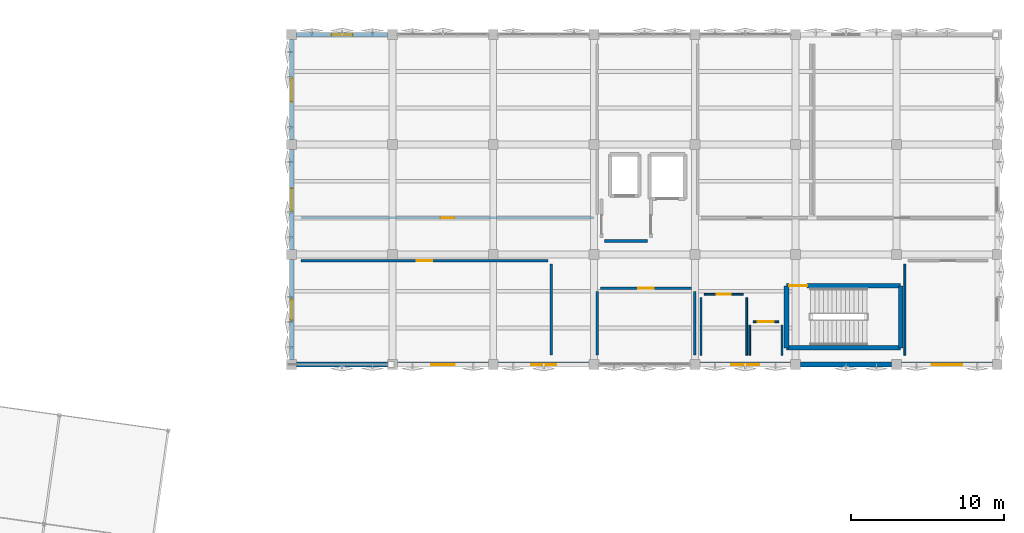
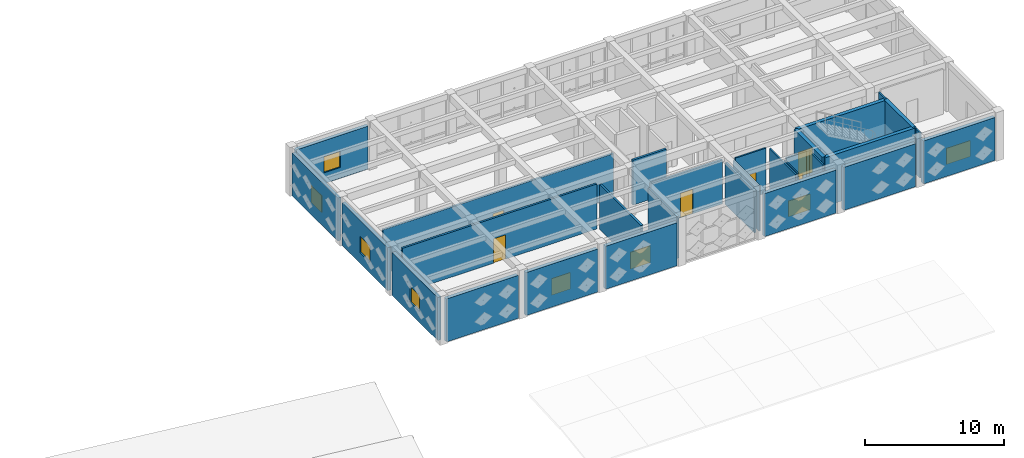
# One storey, part 40 of 48: 28 walls, 8 windows, 6 doors, 14 openings.
"""IFC4 building model written with IfcOpenShell, lengths in metres."""

from ifc_helpers import new_model, si_unit, direction, frame, frame_2d, origin, place, context, subcontext, project, spatial, rectangle, extrude, material, layer, layer_set, type_object, element, fill, save


model = new_model("IFC4")

# Units and contexts
model_context = context("Model", 3, precision=1e-05, world=origin(), true_north=direction((0.0, 1.0)))
body_context = subcontext(model_context, "Body", "Model", "MODEL_VIEW")
ifc_project = project(units=[si_unit("LENGTHUNIT", "METRE"), si_unit("AREAUNIT", "SQUARE_METRE"), si_unit("VOLUMEUNIT", "CUBIC_METRE"), si_unit("PLANEANGLEUNIT", "RADIAN"), si_unit("MASSUNIT", "GRAM", prefix="KILO")], contexts=[model_context])

# Site, building, storey
site_placement = place(None, origin())
site = spatial("IfcSite", under=ifc_project, at=site_placement, CompositionType="ELEMENT")
building_placement = place(site_placement, origin())
building = spatial("IfcBuilding", under=site, at=building_placement, Name="Kharisveld Research Institute", CompositionType="ELEMENT")
storey_placement = place(building_placement, frame((0.0, 0.0, 14.10009765625)))
storey = spatial("IfcBuildingStorey", under=building, at=storey_placement, Name="L03", CompositionType="ELEMENT", Elevation=14.10009765625)

# Wall
ifc_material_1 = material(Name="Concrete C40/50", Category="concrete")
ifc_layer_1 = layer(ifc_material_1, 0.300048828125)
ifc_layer_set_1 = layer_set([ifc_layer_1], Name="WL_CORE_300")
wall_type_1 = type_object("IfcWallType", Name="WL_CORE_300", PredefinedType="SHEAR", material=ifc_layer_set_1)
wall_1_placement = place(storey_placement, frame((147.0, 40.300048828125, 0.0), z_axis=(0.0, 0.0, 1.0), x_axis=(0.0, 1.0, 0.0)))
element("IfcWall", 1, at=wall_1_placement, inside=storey, type_object=wall_type_1, Name="WL:STR:ST3:L03:W", PredefinedType="SHEAR", context=body_context, shape_type="SweptSolid", body=[
    extrude(rectangle(XDim=4.06005859375, YDim=0.300048828125, at=frame_2d((2.030029296875, 0.0))), origin(), (0.0, 0.0, 1.0), 4.27978515625),
])

# Wall, opening, door
wall_2_placement = place(storey_placement, frame((147.0, 44.360107421875, 0.0), z_axis=(0.0, 0.0, 1.0), x_axis=(1.0, 0.0, 0.0)))
wall_2 = element("IfcWall", 2, at=wall_2_placement, inside=storey, type_object=wall_type_1, Name="WL:STR:ST3:L03:N", PredefinedType="SHEAR", context=body_context, shape_type="SweptSolid", body=[
    extrude(rectangle(XDim=7.469970703125, YDim=0.300048828125, at=frame_2d((3.73486328125, 0.0))), origin(), (0.0, 0.0, 1.0), 4.27978515625),
])
opening_1_placement = place(wall_2_placement, frame((0.179931640625, 0.0, 0.0)))
opening_1 = element("IfcOpeningElement", 3, at=opening_1_placement, cuts=wall_2, Name="Opening DS-031", PredefinedType="OPENING", context=body_context, shape_type="SweptSolid", body=[
    extrude(rectangle(XDim=1.179931640625, YDim=2.14990234375, at=frame_2d((0.58984375, 1.074951171875))), frame((0.0, 0.14990234375, 0.0), z_axis=(0.0, -1.0, 0.0), x_axis=(1.0, 0.0, 0.0)), (0.0, 0.0, 1.0), 0.300048828125),
])
ifc_material_2 = material(Name="Flush Painted Hardwood and Anodised Aluminium", Category="wood")
door_type_1 = type_object("IfcDoorType", Name="DR_FD60_118", OperationType="NOTDEFINED", PredefinedType="DOOR", material=ifc_material_2)
door_1_placement = place(opening_1_placement, origin())
door_1 = element("IfcDoor", 4, at=door_1_placement, inside=storey, type_object=door_type_1, Name="DR:STR:ST3:L03", OperationType="SINGLE_SWING_RIGHT", OverallHeight=2.14990234375, OverallWidth=1.179931640625, PredefinedType="DOOR", context=body_context, shape_type="SweptSolid", body=[
    extrude(rectangle(XDim=1.179931640625, YDim=2.14990234375, at=frame_2d((0.58984375, 1.074951171875))), frame((0.0, 0.02490234375, 0.0), z_axis=(0.0, -1.0, 0.0), x_axis=(1.0, 0.0, 0.0)), (0.0, 0.0, 1.0), 0.050048828125),
])
fill(opening_1, door_1)

# Walls
wall_3_placement = place(storey_placement, frame((154.469970703125, 44.360107421875, 0.0), z_axis=(0.0, 0.0, 1.0), x_axis=(0.0, -1.0, 0.0)))
element("IfcWall", 5, at=wall_3_placement, inside=storey, type_object=wall_type_1, Name="WL:STR:ST3:L03:E", PredefinedType="SHEAR", context=body_context, shape_type="SweptSolid", body=[
    extrude(rectangle(XDim=4.06005859375, YDim=0.300048828125, at=frame_2d((2.030029296875, 0.0))), origin(), (0.0, 0.0, 1.0), 4.27978515625),
])
wall_4_placement = place(storey_placement, frame((154.469970703125, 40.300048828125, 0.0), z_axis=(0.0, 0.0, 1.0), x_axis=(-1.0, 0.0, 0.0)))
element("IfcWall", 6, at=wall_4_placement, inside=storey, type_object=wall_type_1, Name="WL:STR:ST3:L03:S", PredefinedType="SHEAR", context=body_context, shape_type="SweptSolid", body=[
    extrude(rectangle(XDim=7.469970703125, YDim=0.300048828125, at=frame_2d((3.73486328125, 0.0))), origin(), (0.0, 0.0, 1.0), 4.27978515625),
])

# Wall, opening, window
ifc_material_3 = material(Name="Precast Concrete C40/50 Thermal Wall", Category="concrete")
ifc_layer_2 = layer(ifc_material_3, 0.260009765625)
ifc_layer_set_2 = layer_set([ifc_layer_2], Name="WL_EXT_260")
wall_type_2 = type_object("IfcWallType", Name="WL_EXT_260", PredefinedType="STANDARD", material=ifc_layer_set_2)
wall_5_placement = place(storey_placement, frame((114.60009765625, 53.919921875, 0.0), z_axis=(0.0, 0.0, 1.0), x_axis=(0.0, 1.0, 0.0)))
wall_5 = element("IfcWall", 7, at=wall_5_placement, inside=storey, type_object=wall_type_2, Name="WL:V2:L03:W2", PredefinedType="STANDARD", context=body_context, shape_type="SweptSolid", body=[
    extrude(rectangle(XDim=6.56005859375, YDim=0.260009765625, at=frame_2d((3.280029296875, 0.0))), origin(), (0.0, 0.0, 1.0), 3.77490234375),
])
opening_2_placement = place(wall_5_placement, frame((2.5048828125, 0.0, 0.949951171875)))
opening_2 = element("IfcOpeningElement", 8, at=opening_2_placement, cuts=wall_5, Name="Opening WN-25", PredefinedType="OPENING", context=body_context, shape_type="SweptSolid", body=[
    extrude(rectangle(XDim=1.550048828125, YDim=1.4599609375, at=frame_2d((0.77490234375, 0.72998046875))), frame((0.0, 0.1298828125, 0.0), z_axis=(0.0, -1.0, 0.0), x_axis=(1.0, 0.0, 0.0)), (0.0, 0.0, 1.0), 0.260009765625),
])
ifc_material_4 = material(Name="Low-E Double Glazing", Category="glass")
window_type_1 = type_object("IfcWindowType", Name="WN_25", PartitioningType="DOUBLE_PANEL_VERTICAL", PredefinedType="WINDOW", material=ifc_material_4)
window_1_placement = place(opening_2_placement, origin())
window_1 = element("IfcWindow", 9, at=window_1_placement, inside=storey, type_object=window_type_1, Name="WN:V2:L03:W2", OverallHeight=1.4599609375, OverallWidth=1.550048828125, PartitioningType="SINGLE_PANEL", PredefinedType="WINDOW", context=body_context, shape_type="SweptSolid", body=[
    extrude(rectangle(XDim=1.550048828125, YDim=1.4599609375, at=frame_2d((0.77490234375, 0.72998046875))), frame((0.0, 0.030029296875, 0.0), z_axis=(0.0, -1.0, 0.0), x_axis=(1.0, 0.0, 0.0)), (0.0, 0.0, 1.0), 0.06005859375),
])
fill(opening_2, window_1)

ifc_material_5 = material(Name="Precast Concrete C40/50 Thermal Wall", Category="concrete")
ifc_layer_3 = layer(ifc_material_5, 0.27490234375)
ifc_layer_set_3 = layer_set([ifc_layer_3], Name="WL_EXT_275")
wall_type_3 = type_object("IfcWallType", Name="WL_EXT_275", PredefinedType="STANDARD", material=ifc_layer_set_3)
wall_6_placement = place(storey_placement, frame((114.60009765625, 46.719970703125, 0.0), z_axis=(0.0, 0.0, 1.0), x_axis=(0.0, 1.0, 0.0)))
wall_6 = element("IfcWall", 10, at=wall_6_placement, inside=storey, type_object=wall_type_3, Name="WL:V2:L03:W1", PredefinedType="STANDARD", context=body_context, shape_type="SweptSolid", body=[
    extrude(rectangle(XDim=6.56005859375, YDim=0.27490234375, at=frame_2d((3.280029296875, 0.0))), origin(), (0.0, 0.0, 1.0), 3.77490234375),
])
opening_3_placement = place(wall_6_placement, frame((2.550048828125, 0.0, 0.949951171875)))
opening_3 = element("IfcOpeningElement", 11, at=opening_3_placement, cuts=wall_6, Name="Opening WN-24", PredefinedType="OPENING", context=body_context, shape_type="SweptSolid", body=[
    extrude(rectangle(XDim=1.4599609375, YDim=1.43994140625, at=frame_2d((0.72998046875, 0.719970703125))), frame((0.0, 0.137451171875, 0.0), z_axis=(0.0, -1.0, 0.0), x_axis=(1.0, 0.0, 0.0)), (0.0, 0.0, 1.0), 0.27490234375),
])
ifc_material_6 = material(Name="Low-E Double Glazing", Category="glass")
window_type_2 = type_object("IfcWindowType", Name="WN_24", PartitioningType="DOUBLE_PANEL_VERTICAL", PredefinedType="WINDOW", material=ifc_material_6)
window_2_placement = place(opening_3_placement, origin())
window_2 = element("IfcWindow", 12, at=window_2_placement, inside=storey, type_object=window_type_2, Name="WN:V2:L03:W1", OverallHeight=1.43994140625, OverallWidth=1.4599609375, PartitioningType="SINGLE_PANEL", PredefinedType="WINDOW", context=body_context, shape_type="SweptSolid", body=[
    extrude(rectangle(XDim=1.4599609375, YDim=1.43994140625, at=frame_2d((0.72998046875, 0.719970703125))), frame((0.0, 0.030029296875, 0.0), z_axis=(0.0, -1.0, 0.0), x_axis=(1.0, 0.0, 0.0)), (0.0, 0.0, 1.0), 0.06005859375),
])
fill(opening_3, window_2)

ifc_material_7 = material(Name="Precast Concrete C40/50 Thermal Wall", Category="concrete")
ifc_layer_4 = layer(ifc_material_7, 0.2900390625)
ifc_layer_set_4 = layer_set([ifc_layer_4], Name="WL_EXT_290")
wall_type_4 = type_object("IfcWallType", Name="WL_EXT_290", PredefinedType="STANDARD", material=ifc_layer_set_4)
wall_7_placement = place(storey_placement, frame((114.60009765625, 39.52001953125, 0.0), z_axis=(0.0, 0.0, 1.0), x_axis=(0.0, 1.0, 0.0)))
wall_7 = element("IfcWall", 13, at=wall_7_placement, inside=storey, type_object=wall_type_4, Name="WL:V2:L03:W0", PredefinedType="STANDARD", context=body_context, shape_type="SweptSolid", body=[
    extrude(rectangle(XDim=6.56005859375, YDim=0.2900390625, at=frame_2d((3.280029296875, 0.0))), origin(), (0.0, 0.0, 1.0), 3.77490234375),
])
opening_4_placement = place(wall_7_placement, frame((2.594970703125, 0.0, 0.949951171875)))
opening_4 = element("IfcOpeningElement", 14, at=opening_4_placement, cuts=wall_7, Name="Opening WN-23", PredefinedType="OPENING", context=body_context, shape_type="SweptSolid", body=[
    extrude(rectangle(XDim=1.3701171875, YDim=1.419921875, at=frame_2d((0.68505859375, 0.7099609375))), frame((0.0, 0.14501953125, 0.0), z_axis=(0.0, -1.0, 0.0), x_axis=(1.0, 0.0, 0.0)), (0.0, 0.0, 1.0), 0.2900390625),
])
ifc_material_8 = material(Name="Low-E Double Glazing", Category="glass")
window_type_3 = type_object("IfcWindowType", Name="WN_23", PartitioningType="DOUBLE_PANEL_VERTICAL", PredefinedType="WINDOW", material=ifc_material_8)
window_3_placement = place(opening_4_placement, origin())
window_3 = element("IfcWindow", 15, at=window_3_placement, inside=storey, type_object=window_type_3, Name="WN:V2:L03:W0", OverallHeight=1.419921875, OverallWidth=1.3701171875, PartitioningType="SINGLE_PANEL", PredefinedType="WINDOW", context=body_context, shape_type="SweptSolid", body=[
    extrude(rectangle(XDim=1.3701171875, YDim=1.419921875, at=frame_2d((0.68505859375, 0.7099609375))), frame((0.0, 0.030029296875, 0.0), z_axis=(0.0, -1.0, 0.0), x_axis=(1.0, 0.0, 0.0)), (0.0, 0.0, 1.0), 0.06005859375),
])
fill(opening_4, window_3)

wall_8_placement = place(storey_placement, frame((114.919921875, 60.800048828125, 0.0), z_axis=(0.0, 0.0, 1.0), x_axis=(1.0, 0.0, 0.0)))
wall_8 = element("IfcWall", 16, at=wall_8_placement, inside=storey, type_object=wall_type_4, Name="WL:V2:L03:N0", PredefinedType="STANDARD", context=body_context, shape_type="SweptSolid", body=[
    extrude(rectangle(XDim=5.9599609375, YDim=0.2900390625, at=frame_2d((2.97998046875, 0.0))), origin(), (0.0, 0.0, 1.0), 3.77490234375),
])
opening_5_placement = place(wall_8_placement, frame((2.294921875, 0.0, 0.949951171875)))
opening_5 = element("IfcOpeningElement", 17, at=opening_5_placement, cuts=wall_8, Name="Opening WN-23", PredefinedType="OPENING", context=body_context, shape_type="SweptSolid", body=[
    extrude(rectangle(XDim=1.3701171875, YDim=1.419921875, at=frame_2d((0.68505859375, 0.7099609375))), frame((0.0, 0.14501953125, 0.0), z_axis=(0.0, -1.0, 0.0), x_axis=(1.0, 0.0, 0.0)), (0.0, 0.0, 1.0), 0.2900390625),
])
window_4_placement = place(opening_5_placement, origin())
window_4 = element("IfcWindow", 18, at=window_4_placement, inside=storey, type_object=window_type_3, Name="WN:V2:L03:N0", OverallHeight=1.419921875, OverallWidth=1.3701171875, PartitioningType="SINGLE_PANEL", PredefinedType="WINDOW", context=body_context, shape_type="SweptSolid", body=[
    extrude(rectangle(XDim=1.3701171875, YDim=1.419921875, at=frame_2d((0.68505859375, 0.7099609375))), frame((0.0, 0.030029296875, 0.0), z_axis=(0.0, -1.0, 0.0), x_axis=(1.0, 0.0, 0.0)), (0.0, 0.0, 1.0), 0.06005859375),
])
fill(opening_5, window_4)

ifc_material_9 = material(Name="Precast Concrete C40/50 Ochre Panel", Category="concrete")
ifc_layer_5 = layer(ifc_material_9, 0.304931640625)
ifc_layer_set_5 = layer_set([ifc_layer_5], Name="WL_EXT_305")
wall_type_5 = type_object("IfcWallType", Name="WL_EXT_305", PredefinedType="STANDARD", material=ifc_layer_set_5)
wall_9_placement = place(storey_placement, frame((160.47998046875, 39.199951171875, 0.0), z_axis=(0.0, 0.0, 1.0), x_axis=(-1.0, 0.0, 0.0)))
wall_9 = element("IfcWall", 19, at=wall_9_placement, inside=storey, type_object=wall_type_5, Name="WL:V2:L03:S7", PredefinedType="STANDARD", context=body_context, shape_type="SweptSolid", body=[
    extrude(rectangle(XDim=5.9599609375, YDim=0.304931640625, at=frame_2d((2.97998046875, 0.0))), origin(), (0.0, 0.0, 1.0), 3.77490234375),
])
opening_6_placement = place(wall_9_placement, frame((1.97998046875, 0.0, 0.949951171875)))
opening_6 = element("IfcOpeningElement", 20, at=opening_6_placement, cuts=wall_9, Name="Opening WN-30", PredefinedType="OPENING", context=body_context, shape_type="SweptSolid", body=[
    extrude(rectangle(XDim=2.0, YDim=1.419921875, at=frame_2d((1.0, 0.7099609375))), frame((0.0, 0.15234375, 0.0), z_axis=(0.0, -1.0, 0.0), x_axis=(1.0, 0.0, 0.0)), (0.0, 0.0, 1.0), 0.304931640625),
])
ifc_material_10 = material(Name="Low-E Double Glazing", Category="glass")
window_type_4 = type_object("IfcWindowType", Name="WN_30", PartitioningType="DOUBLE_PANEL_VERTICAL", PredefinedType="WINDOW", material=ifc_material_10)
window_5_placement = place(opening_6_placement, origin())
window_5 = element("IfcWindow", 21, at=window_5_placement, inside=storey, type_object=window_type_4, Name="WN:V2:L03:S7", OverallHeight=1.419921875, OverallWidth=2.0, PartitioningType="SINGLE_PANEL", PredefinedType="WINDOW", context=body_context, shape_type="SweptSolid", body=[
    extrude(rectangle(XDim=2.0, YDim=1.419921875, at=frame_2d((1.0, 0.7099609375))), frame((0.0, 0.030029296875, 0.0), z_axis=(0.0, -1.0, 0.0), x_axis=(1.0, 0.0, 0.0)), (0.0, 0.0, 1.0), 0.06005859375),
])
fill(opening_6, window_5)

# Wall
wall_10_placement = place(storey_placement, frame((153.8798828125, 39.199951171875, 0.0), z_axis=(0.0, 0.0, 1.0), x_axis=(-1.0, 0.0, 0.0)))
element("IfcWall", 22, at=wall_10_placement, inside=storey, type_object=wall_type_5, Name="WL:V2:L03:S6", PredefinedType="STANDARD", context=body_context, shape_type="SweptSolid", body=[
    extrude(rectangle(XDim=5.9599609375, YDim=0.304931640625, at=frame_2d((2.97998046875, 0.0))), origin(), (0.0, 0.0, 1.0), 3.77490234375),
])

# Wall, opening, window
wall_11_placement = place(storey_placement, frame((147.280029296875, 39.199951171875, 0.0), z_axis=(0.0, 0.0, 1.0), x_axis=(-1.0, 0.0, 0.0)))
wall_11 = element("IfcWall", 23, at=wall_11_placement, inside=storey, type_object=wall_type_5, Name="WL:V2:L03:S5", PredefinedType="STANDARD", context=body_context, shape_type="SweptSolid", body=[
    extrude(rectangle(XDim=5.9599609375, YDim=0.304931640625, at=frame_2d((2.97998046875, 0.0))), origin(), (0.0, 0.0, 1.0), 3.77490234375),
])
opening_7_placement = place(wall_11_placement, frame((2.070068359375, 0.0, 0.949951171875)))
opening_7 = element("IfcOpeningElement", 24, at=opening_7_placement, cuts=wall_11, Name="Opening WN-28", PredefinedType="OPENING", context=body_context, shape_type="SweptSolid", body=[
    extrude(rectangle(XDim=1.820068359375, YDim=1.3798828125, at=frame_2d((0.91015625, 0.68994140625))), frame((0.0, 0.15234375, 0.0), z_axis=(0.0, -1.0, 0.0), x_axis=(1.0, 0.0, 0.0)), (0.0, 0.0, 1.0), 0.304931640625),
])
ifc_material_11 = material(Name="Low-E Double Glazing", Category="glass")
window_type_5 = type_object("IfcWindowType", Name="WN_28", PartitioningType="DOUBLE_PANEL_VERTICAL", PredefinedType="WINDOW", material=ifc_material_11)
window_6_placement = place(opening_7_placement, origin())
window_6 = element("IfcWindow", 25, at=window_6_placement, inside=storey, type_object=window_type_5, Name="WN:V2:L03:S5", OverallHeight=1.3798828125, OverallWidth=1.820068359375, PartitioningType="SINGLE_PANEL", PredefinedType="WINDOW", context=body_context, shape_type="SweptSolid", body=[
    extrude(rectangle(XDim=1.820068359375, YDim=1.3798828125, at=frame_2d((0.91015625, 0.68994140625))), frame((0.0, 0.030029296875, 0.0), z_axis=(0.0, -1.0, 0.0), x_axis=(1.0, 0.0, 0.0)), (0.0, 0.0, 1.0), 0.06005859375),
])
fill(opening_7, window_6)

wall_12_placement = place(storey_placement, frame((134.080078125, 39.199951171875, 0.0), z_axis=(0.0, 0.0, 1.0), x_axis=(-1.0, 0.0, 0.0)))
wall_12 = element("IfcWall", 26, at=wall_12_placement, inside=storey, type_object=wall_type_5, Name="WL:V2:L03:S3", PredefinedType="STANDARD", context=body_context, shape_type="SweptSolid", body=[
    extrude(rectangle(XDim=5.9599609375, YDim=0.304931640625, at=frame_2d((2.97998046875, 0.0))), origin(), (0.0, 0.0, 1.0), 3.77490234375),
])
opening_8_placement = place(wall_12_placement, frame((2.159912109375, 0.0, 0.949951171875)))
opening_8 = element("IfcOpeningElement", 27, at=opening_8_placement, cuts=wall_12, Name="Opening WN-26", PredefinedType="OPENING", context=body_context, shape_type="SweptSolid", body=[
    extrude(rectangle(XDim=1.639892578125, YDim=1.47998046875, at=frame_2d((0.81982421875, 0.739990234375))), frame((0.0, 0.15234375, 0.0), z_axis=(0.0, -1.0, 0.0), x_axis=(1.0, 0.0, 0.0)), (0.0, 0.0, 1.0), 0.304931640625),
])
ifc_material_12 = material(Name="Low-E Double Glazing", Category="glass")
window_type_6 = type_object("IfcWindowType", Name="WN_26", PartitioningType="DOUBLE_PANEL_VERTICAL", PredefinedType="WINDOW", material=ifc_material_12)
window_7_placement = place(opening_8_placement, origin())
window_7 = element("IfcWindow", 28, at=window_7_placement, inside=storey, type_object=window_type_6, Name="WN:V2:L03:S3", OverallHeight=1.47998046875, OverallWidth=1.639892578125, PartitioningType="SINGLE_PANEL", PredefinedType="WINDOW", context=body_context, shape_type="SweptSolid", body=[
    extrude(rectangle(XDim=1.639892578125, YDim=1.47998046875, at=frame_2d((0.81982421875, 0.739990234375))), frame((0.0, 0.030029296875, 0.0), z_axis=(0.0, -1.0, 0.0), x_axis=(1.0, 0.0, 0.0)), (0.0, 0.0, 1.0), 0.06005859375),
])
fill(opening_8, window_7)

wall_13_placement = place(storey_placement, frame((127.47998046875, 39.199951171875, 0.0), z_axis=(0.0, 0.0, 1.0), x_axis=(-1.0, 0.0, 0.0)))
wall_13 = element("IfcWall", 29, at=wall_13_placement, inside=storey, type_object=wall_type_5, Name="WL:V2:L03:S2", PredefinedType="STANDARD", context=body_context, shape_type="SweptSolid", body=[
    extrude(rectangle(XDim=5.9599609375, YDim=0.304931640625, at=frame_2d((2.97998046875, 0.0))), origin(), (0.0, 0.0, 1.0), 3.77490234375),
])
opening_9_placement = place(wall_13_placement, frame((2.205078125, 0.0, 0.949951171875)))
opening_9 = element("IfcOpeningElement", 30, at=opening_9_placement, cuts=wall_13, Name="Opening WN-25", PredefinedType="OPENING", context=body_context, shape_type="SweptSolid", body=[
    extrude(rectangle(XDim=1.550048828125, YDim=1.4599609375, at=frame_2d((0.77490234375, 0.72998046875))), frame((0.0, 0.15234375, 0.0), z_axis=(0.0, -1.0, 0.0), x_axis=(1.0, 0.0, 0.0)), (0.0, 0.0, 1.0), 0.304931640625),
])
window_8_placement = place(opening_9_placement, origin())
window_8 = element("IfcWindow", 31, at=window_8_placement, inside=storey, type_object=window_type_1, Name="WN:V2:L03:S2", OverallHeight=1.4599609375, OverallWidth=1.550048828125, PartitioningType="SINGLE_PANEL", PredefinedType="WINDOW", context=body_context, shape_type="SweptSolid", body=[
    extrude(rectangle(XDim=1.550048828125, YDim=1.4599609375, at=frame_2d((0.77490234375, 0.72998046875))), frame((0.0, 0.030029296875, 0.0), z_axis=(0.0, -1.0, 0.0), x_axis=(1.0, 0.0, 0.0)), (0.0, 0.0, 1.0), 0.06005859375),
])
fill(opening_9, window_8)

# Wall
wall_14_placement = place(storey_placement, frame((120.8798828125, 39.199951171875, 0.0), z_axis=(0.0, 0.0, 1.0), x_axis=(-1.0, 0.0, 0.0)))
element("IfcWall", 32, at=wall_14_placement, inside=storey, type_object=wall_type_5, Name="WL:V2:L03:S1", PredefinedType="STANDARD", context=body_context, shape_type="SweptSolid", body=[
    extrude(rectangle(XDim=5.9599609375, YDim=0.304931640625, at=frame_2d((2.97998046875, 0.0))), origin(), (0.0, 0.0, 1.0), 3.77490234375),
])

# Wall, opening, door
ifc_material_13 = material(Name="Acoustic Drywall Partition", Category="mineral")
ifc_layer_6 = layer(ifc_material_13, 0.1650390625)
ifc_layer_set_6 = layer_set([ifc_layer_6], Name="WL_LAB_165")
wall_type_6 = type_object("IfcWallType", Name="WL_LAB_165", PredefinedType="PARTITIONING", material=ifc_layer_set_6)
wall_15_placement = place(storey_placement, frame((115.219970703125, 48.800048828125, 0.0), z_axis=(0.0, 0.0, 1.0), x_axis=(1.0, 0.0, 0.0)))
wall_15 = element("IfcWall", 33, at=wall_15_placement, inside=storey, type_object=wall_type_6, Name="WL:RM:V2:L03:WLA:S", PredefinedType="PARTITIONING", context=body_context, shape_type="SweptSolid", body=[
    extrude(rectangle(XDim=19.159912109375, YDim=0.1650390625, at=frame_2d((9.580078125, 0.0))), origin(), (0.0, 0.0, 1.0), 3.875),
])
opening_10_placement = place(wall_15_placement, frame((9.125, 0.0, 0.0)))
opening_10 = element("IfcOpeningElement", 34, at=opening_10_placement, cuts=wall_15, Name="Opening DI-217", PredefinedType="OPENING", context=body_context, shape_type="SweptSolid", body=[
    extrude(rectangle(XDim=0.909912109375, YDim=2.080078125, at=frame_2d((0.455078125, 1.0400390625))), frame((0.0, 0.08251953125, 0.0), z_axis=(0.0, -1.0, 0.0), x_axis=(1.0, 0.0, 0.0)), (0.0, 0.0, 1.0), 0.1650390625),
])
ifc_material_14 = material(Name="Flush Painted Hardwood and Anodised Aluminium", Category="wood")
door_type_2 = type_object("IfcDoorType", Name="DR_VAR_01", OperationType="NOTDEFINED", PredefinedType="DOOR", material=ifc_material_14)
door_2_placement = place(opening_10_placement, origin())
door_2 = element("IfcDoor", 35, at=door_2_placement, inside=storey, type_object=door_type_2, Name="DR:RM:V2:L03:WLA:S", OperationType="SINGLE_SWING_RIGHT", OverallHeight=2.080078125, OverallWidth=0.909912109375, PredefinedType="DOOR", context=body_context, shape_type="SweptSolid", body=[
    extrude(rectangle(XDim=0.909912109375, YDim=2.080078125, at=frame_2d((0.455078125, 1.0400390625))), frame((0.0, 0.02490234375, 0.0), z_axis=(0.0, -1.0, 0.0), x_axis=(1.0, 0.0, 0.0)), (0.0, 0.0, 1.0), 0.050048828125),
])
fill(opening_10, door_2)

# Wall
wall_16_placement = place(storey_placement, frame((131.60009765625, 39.820068359375, 0.0), z_axis=(0.0, 0.0, 1.0), x_axis=(0.0, 1.0, 0.0)))
element("IfcWall", 36, at=wall_16_placement, inside=storey, type_object=wall_type_6, Name="WL:RM:V2:L03:WLC:E", PredefinedType="PARTITIONING", context=body_context, shape_type="SweptSolid", body=[
    extrude(rectangle(XDim=5.9599609375, YDim=0.1650390625, at=frame_2d((2.97998046875, 0.0))), origin(), (0.0, 0.0, 1.0), 3.949951171875),
])

# Wall, opening, door
wall_17_placement = place(storey_placement, frame((131.3798828125, 46.0, 0.0), z_axis=(0.0, 0.0, 1.0), x_axis=(-1.0, 0.0, 0.0)))
wall_17 = element("IfcWall", 37, at=wall_17_placement, inside=storey, type_object=wall_type_6, Name="WL:RM:V2:L03:WLC:N", PredefinedType="PARTITIONING", context=body_context, shape_type="SweptSolid", body=[
    extrude(rectangle(XDim=16.159912109375, YDim=0.1650390625, at=frame_2d((8.080078125, 0.0))), origin(), (0.0, 0.0, 1.0), 3.949951171875),
])
opening_11_placement = place(wall_17_placement, frame((7.580078125, 0.0, 0.0)))
opening_11 = element("IfcOpeningElement", 38, at=opening_11_placement, cuts=wall_17, Name="Opening DI-220", PredefinedType="OPENING", context=body_context, shape_type="SweptSolid", body=[
    extrude(rectangle(XDim=1.0, YDim=2.139892578125, at=frame_2d((0.5, 1.06982421875))), frame((0.0, 0.08251953125, 0.0), z_axis=(0.0, -1.0, 0.0), x_axis=(1.0, 0.0, 0.0)), (0.0, 0.0, 1.0), 0.1650390625),
])
ifc_material_15 = material(Name="Flush Painted Hardwood and Anodised Aluminium", Category="wood")
door_type_3 = type_object("IfcDoorType", Name="DR_VAR_04", OperationType="NOTDEFINED", PredefinedType="DOOR", material=ifc_material_15)
door_3_placement = place(opening_11_placement, origin())
door_3 = element("IfcDoor", 39, at=door_3_placement, inside=storey, type_object=door_type_3, Name="DR:RM:V2:L03:WLC:N", OperationType="SINGLE_SWING_LEFT", OverallHeight=2.139892578125, OverallWidth=1.0, PredefinedType="DOOR", context=body_context, shape_type="SweptSolid", body=[
    extrude(rectangle(XDim=1.0, YDim=2.139892578125, at=frame_2d((0.5, 1.06982421875))), frame((0.0, 0.02490234375, 0.0), z_axis=(0.0, -1.0, 0.0), x_axis=(1.0, 0.0, 0.0)), (0.0, 0.0, 1.0), 0.050048828125),
])
fill(opening_11, door_3)

# Wall
wall_18_placement = place(storey_placement, frame((141.0, 39.820068359375, 0.0), z_axis=(0.0, 0.0, 1.0), x_axis=(0.0, 1.0, 0.0)))
element("IfcWall", 40, at=wall_18_placement, inside=storey, type_object=wall_type_6, Name="WL:RM:V2:L03:WLE:E", PredefinedType="PARTITIONING", context=body_context, shape_type="SweptSolid", body=[
    extrude(rectangle(XDim=4.159912109375, YDim=0.1650390625, at=frame_2d((2.080078125, 0.0))), origin(), (0.0, 0.0, 1.0), 3.6748046875),
])

# Wall, opening, door
wall_19_placement = place(storey_placement, frame((140.780029296875, 44.199951171875, 0.0), z_axis=(0.0, 0.0, 1.0), x_axis=(-1.0, 0.0, 0.0)))
wall_19 = element("IfcWall", 41, at=wall_19_placement, inside=storey, type_object=wall_type_6, Name="WL:RM:V2:L03:WLE:N", PredefinedType="PARTITIONING", context=body_context, shape_type="SweptSolid", body=[
    extrude(rectangle(XDim=5.9599609375, YDim=0.1650390625, at=frame_2d((2.97998046875, 0.0))), origin(), (0.0, 0.0, 1.0), 3.875),
])
opening_12_placement = place(wall_19_placement, frame((2.465087890625, 0.0, 0.0)))
opening_12 = element("IfcOpeningElement", 42, at=opening_12_placement, cuts=wall_19, Name="Opening DI-221", PredefinedType="OPENING", context=body_context, shape_type="SweptSolid", body=[
    extrude(rectangle(XDim=1.030029296875, YDim=2.159912109375, at=frame_2d((0.51513671875, 1.080078125))), frame((0.0, 0.08251953125, 0.0), z_axis=(0.0, -1.0, 0.0), x_axis=(1.0, 0.0, 0.0)), (0.0, 0.0, 1.0), 0.1650390625),
])
ifc_material_16 = material(Name="Flush Painted Hardwood and Anodised Aluminium", Category="wood")
door_type_4 = type_object("IfcDoorType", Name="DR_VAR_05", OperationType="NOTDEFINED", PredefinedType="DOOR", material=ifc_material_16)
door_4_placement = place(opening_12_placement, origin())
door_4 = element("IfcDoor", 43, at=door_4_placement, inside=storey, type_object=door_type_4, Name="DR:RM:V2:L03:WLE:N", OperationType="SINGLE_SWING_RIGHT", OverallHeight=2.159912109375, OverallWidth=1.030029296875, PredefinedType="DOOR", context=body_context, shape_type="SweptSolid", body=[
    extrude(rectangle(XDim=1.030029296875, YDim=2.159912109375, at=frame_2d((0.51513671875, 1.080078125))), frame((0.0, 0.02490234375, 0.0), z_axis=(0.0, -1.0, 0.0), x_axis=(1.0, 0.0, 0.0)), (0.0, 0.0, 1.0), 0.050048828125),
])
fill(opening_12, door_4)

# Walls
wall_20_placement = place(storey_placement, frame((134.60009765625, 43.97998046875, 0.0), z_axis=(0.0, 0.0, 1.0), x_axis=(0.0, -1.0, 0.0)))
element("IfcWall", 44, at=wall_20_placement, inside=storey, type_object=wall_type_6, Name="WL:RM:V2:L03:WLE:W", PredefinedType="PARTITIONING", context=body_context, shape_type="SweptSolid", body=[
    extrude(rectangle(XDim=4.159912109375, YDim=0.1650390625, at=frame_2d((2.080078125, 0.0))), origin(), (0.0, 0.0, 1.0), 3.6748046875),
])
ifc_material_17 = material(Name="Masonry Blockwork", Category="masonry")
ifc_layer_7 = layer(ifc_material_17, 0.18505859375)
ifc_layer_set_7 = layer_set([ifc_layer_7], Name="WL_LOB_185")
wall_type_7 = type_object("IfcWallType", Name="WL_LOB_185", PredefinedType="SOLIDWALL", material=ifc_layer_set_7)
wall_21_placement = place(storey_placement, frame((135.10009765625, 47.300048828125, 0.0), z_axis=(0.0, 0.0, 1.0), x_axis=(1.0, 0.0, 0.0)))
element("IfcWall", 45, at=wall_21_placement, inside=storey, type_object=wall_type_7, Name="WL:RM:V2:L03:FFL:S", PredefinedType="SOLIDWALL", context=body_context, shape_type="SweptSolid", body=[
    extrude(rectangle(XDim=2.7998046875, YDim=0.18505859375, at=frame_2d((1.39990234375, 0.0))), origin(), (0.0, 0.0, 1.0), 3.949951171875),
])
ifc_material_18 = material(Name="Insulated Stud Partition", Category="mineral")
ifc_layer_8 = layer(ifc_material_18, 0.125)
ifc_layer_set_8 = layer_set([ifc_layer_8], Name="WL_OFF_125")
wall_type_8 = type_object("IfcWallType", Name="WL_OFF_125", PredefinedType="PARTITIONING", material=ifc_layer_set_8)
wall_22_placement = place(storey_placement, frame((154.75, 45.780029296875, 0.0), z_axis=(0.0, 0.0, 1.0), x_axis=(0.0, -1.0, 0.0)))
element("IfcWall", 46, at=wall_22_placement, inside=storey, type_object=wall_type_8, Name="WL:RM:V2:L03:SEM:W", PredefinedType="PARTITIONING", context=body_context, shape_type="SweptSolid", body=[
    extrude(rectangle(XDim=5.9599609375, YDim=0.125, at=frame_2d((2.97998046875, 0.0))), origin(), (0.0, 0.0, 1.0), 3.949951171875),
])
ifc_material_19 = material(Name="Moisture-Resistant Partition", Category="mineral")
ifc_layer_9 = layer(ifc_material_19, 0.114990234375)
ifc_layer_set_9 = layer_set([ifc_layer_9], Name="WL_WC_115")
wall_type_9 = type_object("IfcWallType", Name="WL_WC_115", PredefinedType="PARTITIONING", material=ifc_layer_set_9)
wall_23_placement = place(storey_placement, frame((144.39990234375, 39.820068359375, 0.0), z_axis=(0.0, 0.0, 1.0), x_axis=(0.0, 1.0, 0.0)))
element("IfcWall", 47, at=wall_23_placement, inside=storey, type_object=wall_type_9, Name="WL:RM:V2:L03:WCM:E", PredefinedType="PARTITIONING", context=body_context, shape_type="SweptSolid", body=[
    extrude(rectangle(XDim=3.760009765625, YDim=0.114990234375, at=frame_2d((1.8798828125, 0.0))), origin(), (0.0, 0.0, 1.0), 3.949951171875),
])

# Wall, opening, door
wall_24_placement = place(storey_placement, frame((144.179931640625, 43.800048828125, 0.0), z_axis=(0.0, 0.0, 1.0), x_axis=(-1.0, 0.0, 0.0)))
wall_24 = element("IfcWall", 48, at=wall_24_placement, inside=storey, type_object=wall_type_9, Name="WL:RM:V2:L03:WCM:N", PredefinedType="PARTITIONING", context=body_context, shape_type="SweptSolid", body=[
    extrude(rectangle(XDim=2.559814453125, YDim=0.114990234375, at=frame_2d((1.27978515625, 0.0))), origin(), (0.0, 0.0, 1.0), 3.949951171875),
])
opening_13_placement = place(wall_24_placement, frame((0.830078125, 0.0, 0.0)))
opening_13 = element("IfcOpeningElement", 49, at=opening_13_placement, cuts=wall_24, Name="Opening DI-215", PredefinedType="OPENING", context=body_context, shape_type="SweptSolid", body=[
    extrude(rectangle(XDim=0.89990234375, YDim=2.10009765625, at=frame_2d((0.449951171875, 1.050048828125))), frame((0.0, 0.0576171875, 0.0), z_axis=(0.0, -1.0, 0.0), x_axis=(1.0, 0.0, 0.0)), (0.0, 0.0, 1.0), 0.114990234375),
])
ifc_material_20 = material(Name="Flush Painted Hardwood and Anodised Aluminium", Category="wood")
door_type_5 = type_object("IfcDoorType", Name="DR_WC_090", OperationType="NOTDEFINED", PredefinedType="DOOR", material=ifc_material_20)
door_5_placement = place(opening_13_placement, origin())
door_5 = element("IfcDoor", 50, at=door_5_placement, inside=storey, type_object=door_type_5, Name="DR:RM:V2:L03:WCM:N", OperationType="SINGLE_SWING_RIGHT", OverallHeight=2.10009765625, OverallWidth=0.89990234375, PredefinedType="DOOR", context=body_context, shape_type="SweptSolid", body=[
    extrude(rectangle(XDim=0.89990234375, YDim=2.10009765625, at=frame_2d((0.449951171875, 1.050048828125))), frame((0.0, 0.02490234375, 0.0), z_axis=(0.0, -1.0, 0.0), x_axis=(1.0, 0.0, 0.0)), (0.0, 0.0, 1.0), 0.050048828125),
])
fill(opening_13, door_5)

# Walls
wall_25_placement = place(storey_placement, frame((141.39990234375, 43.580078125, 0.0), z_axis=(0.0, 0.0, 1.0), x_axis=(0.0, -1.0, 0.0)))
element("IfcWall", 51, at=wall_25_placement, inside=storey, type_object=wall_type_9, Name="WL:RM:V2:L03:WCM:W", PredefinedType="PARTITIONING", context=body_context, shape_type="SweptSolid", body=[
    extrude(rectangle(XDim=3.760009765625, YDim=0.114990234375, at=frame_2d((1.8798828125, 0.0))), origin(), (0.0, 0.0, 1.0), 3.949951171875),
])
wall_26_placement = place(storey_placement, frame((146.699951171875, 39.820068359375, 0.0), z_axis=(0.0, 0.0, 1.0), x_axis=(0.0, 1.0, 0.0)))
element("IfcWall", 52, at=wall_26_placement, inside=storey, type_object=wall_type_9, Name="WL:RM:V2:L03:WCA:E", PredefinedType="PARTITIONING", context=body_context, shape_type="SweptSolid", body=[
    extrude(rectangle(XDim=1.9599609375, YDim=0.114990234375, at=frame_2d((0.97998046875, 0.0))), origin(), (0.0, 0.0, 1.0), 3.949951171875),
])

# Wall, opening, door
wall_27_placement = place(storey_placement, frame((146.47998046875, 42.0, 0.0), z_axis=(0.0, 0.0, 1.0), x_axis=(-1.0, 0.0, 0.0)))
wall_27 = element("IfcWall", 53, at=wall_27_placement, inside=storey, type_object=wall_type_9, Name="WL:RM:V2:L03:WCA:N", PredefinedType="PARTITIONING", context=body_context, shape_type="SweptSolid", body=[
    extrude(rectangle(XDim=1.659912109375, YDim=0.114990234375, at=frame_2d((0.830078125, 0.0))), origin(), (0.0, 0.0, 1.0), 3.949951171875),
])
opening_14_placement = place(wall_27_placement, frame((0.300048828125, 0.0, 0.0)))
opening_14 = element("IfcOpeningElement", 54, at=opening_14_placement, cuts=wall_27, Name="Opening DI-216", PredefinedType="OPENING", context=body_context, shape_type="SweptSolid", body=[
    extrude(rectangle(XDim=1.06005859375, YDim=2.1201171875, at=frame_2d((0.530029296875, 1.06005859375))), frame((0.0, 0.0576171875, 0.0), z_axis=(0.0, -1.0, 0.0), x_axis=(1.0, 0.0, 0.0)), (0.0, 0.0, 1.0), 0.114990234375),
])
ifc_material_21 = material(Name="Flush Painted Hardwood and Anodised Aluminium", Category="wood")
door_type_6 = type_object("IfcDoorType", Name="DR_WCA_106", OperationType="NOTDEFINED", PredefinedType="DOOR", material=ifc_material_21)
door_6_placement = place(opening_14_placement, origin())
door_6 = element("IfcDoor", 55, at=door_6_placement, inside=storey, type_object=door_type_6, Name="DR:RM:V2:L03:WCA:N", OperationType="SINGLE_SWING_LEFT", OverallHeight=2.1201171875, OverallWidth=1.06005859375, PredefinedType="DOOR", context=body_context, shape_type="SweptSolid", body=[
    extrude(rectangle(XDim=1.06005859375, YDim=2.1201171875, at=frame_2d((0.530029296875, 1.06005859375))), frame((0.0, 0.02490234375, 0.0), z_axis=(0.0, -1.0, 0.0), x_axis=(1.0, 0.0, 0.0)), (0.0, 0.0, 1.0), 0.050048828125),
])
fill(opening_14, door_6)

# Wall
wall_28_placement = place(storey_placement, frame((144.60009765625, 41.780029296875, 0.0), z_axis=(0.0, 0.0, 1.0), x_axis=(0.0, -1.0, 0.0)))
element("IfcWall", 56, at=wall_28_placement, inside=storey, type_object=wall_type_9, Name="WL:RM:V2:L03:WCA:W", PredefinedType="PARTITIONING", context=body_context, shape_type="SweptSolid", body=[
    extrude(rectangle(XDim=1.9599609375, YDim=0.114990234375, at=frame_2d((0.97998046875, 0.0))), origin(), (0.0, 0.0, 1.0), 3.949951171875),
])

save(model, "model.ifc")
